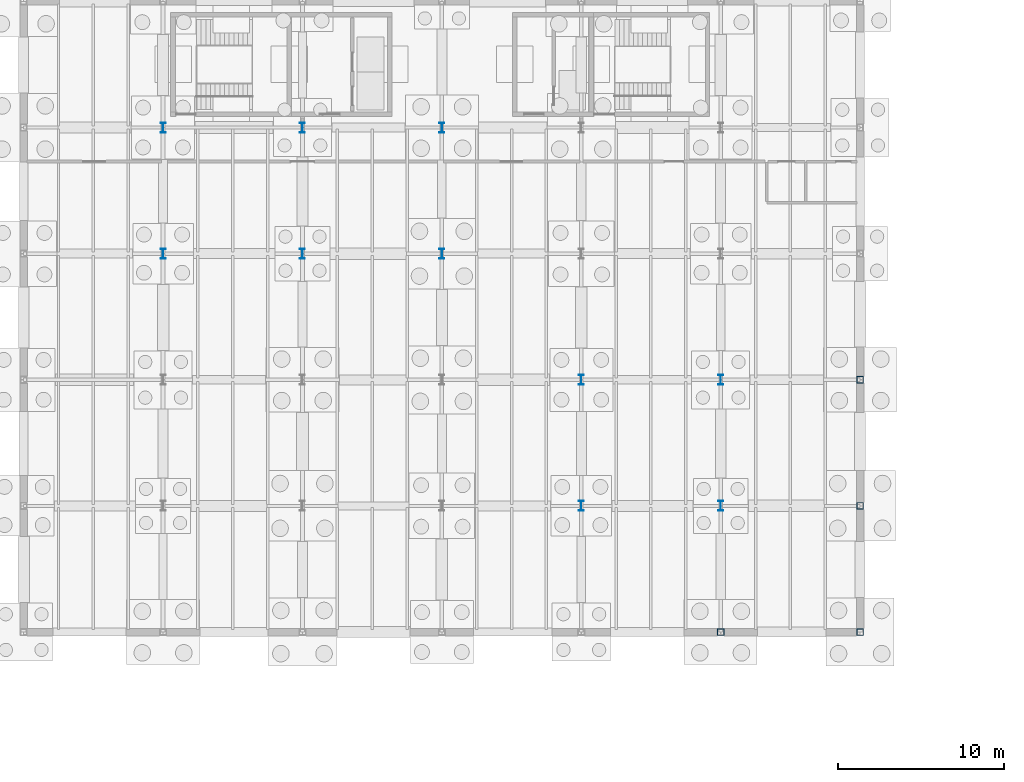
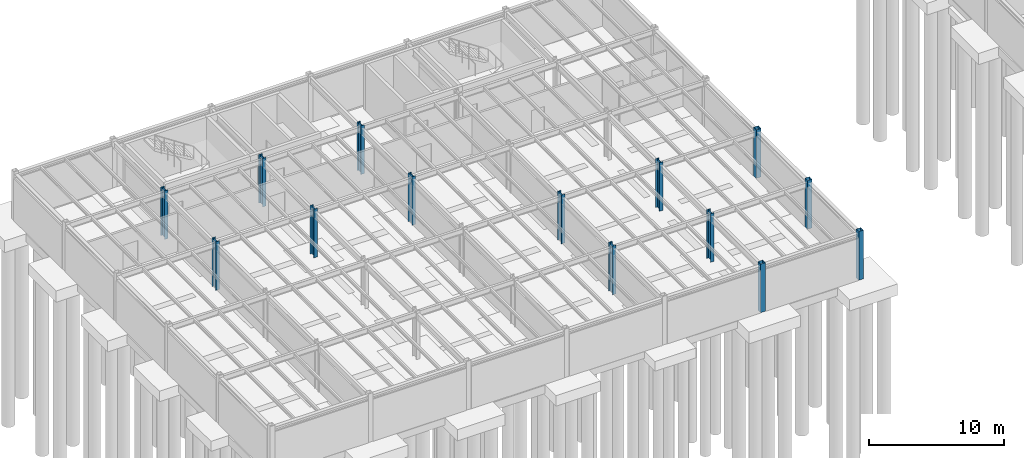
# One storey, part 15 of 33: 14 columns.
"""IFC4 building model written with IfcOpenShell, lengths in metres."""

from ifc_helpers import new_model, si_unit, direction, frame, origin, origin_2d, place, context, subcontext, project, spatial, hollow_rectangle, i_section, extrude, material, material_profile, profile_set, type_object, element, save


model = new_model("IFC4")

# Units and contexts
model_context = context("Model", 3, precision=1e-05, world=origin(), true_north=direction((0.0, 1.0)))
body_context = subcontext(model_context, "Body", "Model", "MODEL_VIEW")
ifc_project = project(units=[si_unit("LENGTHUNIT", "METRE"), si_unit("AREAUNIT", "SQUARE_METRE"), si_unit("VOLUMEUNIT", "CUBIC_METRE"), si_unit("PLANEANGLEUNIT", "RADIAN"), si_unit("MASSUNIT", "GRAM", prefix="KILO")], contexts=[model_context])

# Site, building, storey
site_placement = place(None, origin())
site = spatial("IfcSite", under=ifc_project, at=site_placement, CompositionType="ELEMENT")
building_placement = place(site_placement, origin())
building = spatial("IfcBuilding", under=site, at=building_placement, Name="Montecoro Central Library", CompositionType="ELEMENT")
storey_placement = place(building_placement, frame((0.0, 0.0, -4.419921875)))
storey = spatial("IfcBuildingStorey", under=building, at=storey_placement, Name="B1", CompositionType="ELEMENT", Elevation=-4.419921875)

# Columns
ifc_material = material(Name="Steel S355J2", Category="steel")
ifc_material_profile_1 = material_profile(ifc_material, i_section(OverallWidth=0.300048828125, OverallDepth=0.60009765625, WebThickness=0.015380859375, FlangeThickness=0.030029296875, at=origin_2d()), Name="HEB 600")
ifc_profile_set_1 = profile_set([ifc_material_profile_1], Name="Steel S355J2")
column_type_1 = type_object("IfcColumnType", Name="COL-HEB600", PredefinedType="COLUMN", material=ifc_profile_set_1)
for number, where, z_axis, x_axis, name in (
    (1, (74.800048828125, 103.800048828125, 0.0), (0.0, 0.0, 1.0), (1.0, 0.0, 0.0), "V2-B1-COL-10-P"),
    (2, (74.800048828125, 111.39990234375, 0.0), (0.0, 0.0, 1.0), (1.0, 0.0, 0.0), "V2-B1-COL-10-Q"),
    (3, (83.199951171875, 103.800048828125, 0.0), (0.0, 0.0, 1.0), (1.0, 0.0, 0.0), "V2-B1-COL-11-P"),
    (4, (83.199951171875, 111.39990234375, 0.0), (0.0, 0.0, 1.0), (1.0, 0.0, 0.0), "V2-B1-COL-11-Q"),
    (5, (91.60009765625, 103.800048828125, 0.0), (0.0, 0.0, 1.0), (1.0, 0.0, 0.0), "V2-B1-COL-12-P"),
    (6, (91.60009765625, 111.39990234375, 0.0), (0.0, 0.0, 1.0), (1.0, 0.0, 0.0), "V2-B1-COL-12-Q"),
    (7, (100.0, 88.60009765625, 0.0), (0.0, 0.0, 1.0), (1.0, 0.0, 0.0), "V2-B1-COL-13-M"),
    (8, (100.0, 96.199951171875, 0.0), (0.0, 0.0, 1.0), (1.0, 0.0, 0.0), "V2-B1-COL-13-N"),
    (9, (108.39990234375, 88.60009765625, 0.0), (0.0, 0.0, 1.0), (1.0, 0.0, 0.0), "V2-B1-COL-14-M"),
    (10, (108.39990234375, 96.199951171875, 0.0), (0.0, 0.0, 1.0), (1.0, 0.0, 0.0), "V2-B1-COL-14-N"),
):
    element("IfcColumn", number, at=place(storey_placement, frame(where, z_axis=z_axis, x_axis=x_axis)), inside=storey, type_object=column_type_1, Name=name, PredefinedType="COLUMN", context=body_context, shape_type="SweptSolid", body=[
        extrude(i_section(OverallWidth=0.300048828125, OverallDepth=0.60009765625, WebThickness=0.015380859375, FlangeThickness=0.030029296875, at=origin_2d()), origin(), (0.0, 0.0, 1.0), 4.39501953125),
    ])
ifc_material_profile_2 = material_profile(ifc_material, hollow_rectangle(XDim=0.39990234375, YDim=0.39990234375, WallThickness=0.01611328125, at=origin_2d()), Name="SHS 400x400x16.0")
ifc_profile_set_2 = profile_set([ifc_material_profile_2], Name="Steel S355J2")
column_type_2 = type_object("IfcColumnType", Name="COL-SHS400", PredefinedType="COLUMN", material=ifc_profile_set_2)
for number, where, z_axis, x_axis, name in (
    (11, (108.39990234375, 81.0, 0.0), (0.0, 0.0, 1.0), (1.0, 0.0, 0.0), "V2-B1-COL-14-L"),
    (12, (116.800048828125, 81.0, 0.0), (0.0, 0.0, 1.0), (1.0, 0.0, 0.0), "V2-B1-COL-15-L"),
    (13, (116.800048828125, 88.60009765625, 0.0), (0.0, 0.0, 1.0), (1.0, 0.0, 0.0), "V2-B1-COL-15-M"),
    (14, (116.800048828125, 96.199951171875, 0.0), (0.0, 0.0, 1.0), (1.0, 0.0, 0.0), "V2-B1-COL-15-N"),
):
    element("IfcColumn", number, at=place(storey_placement, frame(where, z_axis=z_axis, x_axis=x_axis)), inside=storey, type_object=column_type_2, Name=name, PredefinedType="COLUMN", context=body_context, shape_type="SweptSolid", body=[
        extrude(hollow_rectangle(XDim=0.39990234375, YDim=0.39990234375, WallThickness=0.01611328125, at=origin_2d()), origin(), (0.0, 0.0, 1.0), 4.39501953125),
    ])

save(model, "model.ifc")
